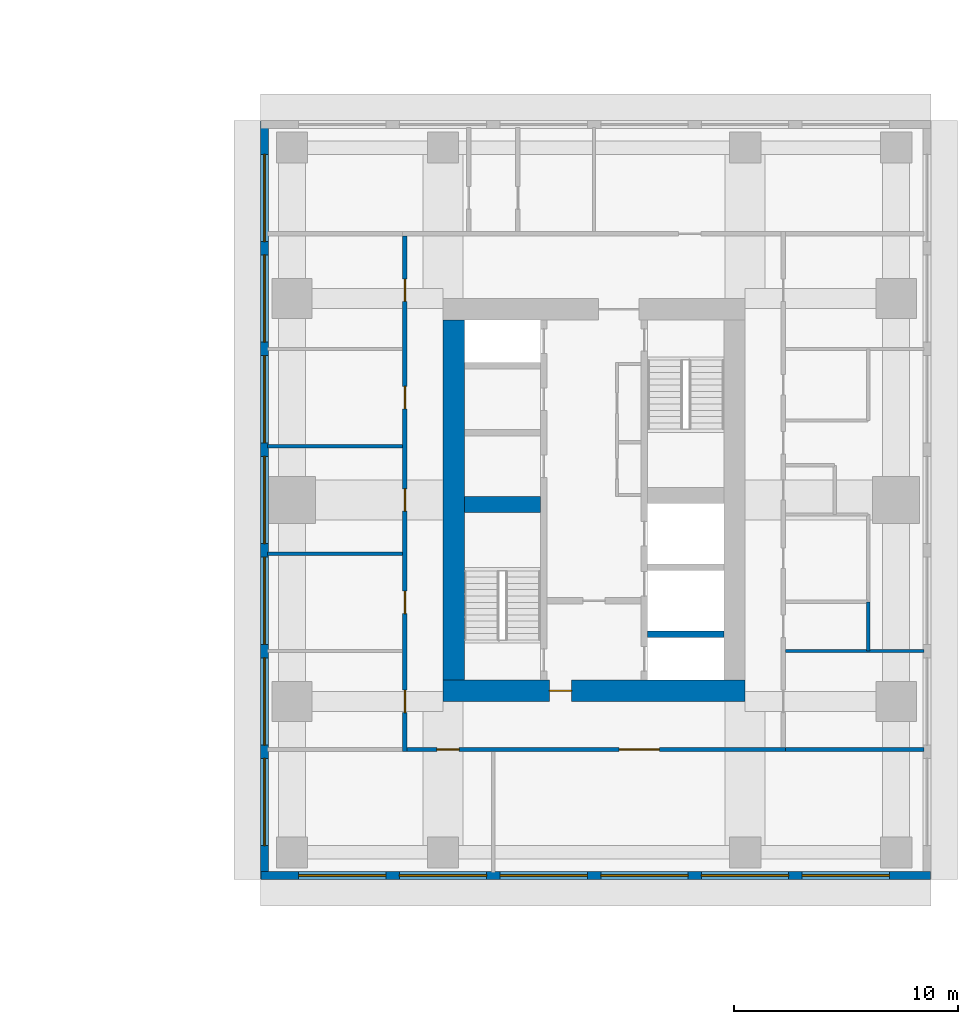
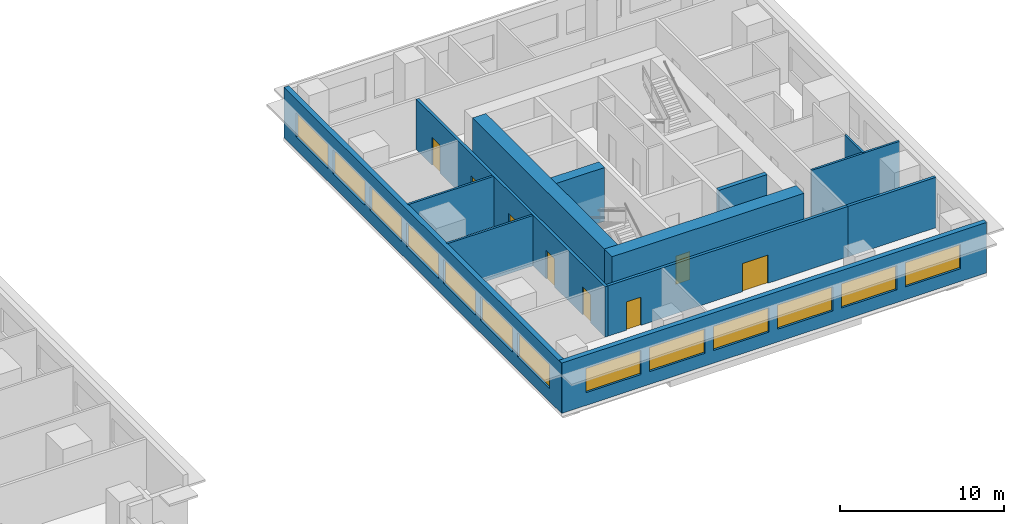
# One storey, part 6 of 11: 13 walls, 13 windows, 8 doors, 21 openings.
"""IFC4 building model written with IfcOpenShell, lengths in metres."""

from ifc_helpers import new_model, si_unit, direction, frame, frame_2d, origin, place, context, subcontext, project, spatial, rectangle, extrude, material, layer, layer_set, type_object, element, fill, save


model = new_model("IFC4")

# Units and contexts
model_context = context("Model", 3, precision=1e-05, world=origin(), true_north=direction((0.0, 1.0)))
body_context = subcontext(model_context, "Body", "Model", "MODEL_VIEW")
ifc_project = project(units=[si_unit("LENGTHUNIT", "METRE"), si_unit("AREAUNIT", "SQUARE_METRE"), si_unit("VOLUMEUNIT", "CUBIC_METRE"), si_unit("PLANEANGLEUNIT", "RADIAN"), si_unit("MASSUNIT", "GRAM", prefix="KILO")], contexts=[model_context])

# Site, building, storey
site_placement = place(None, origin())
site = spatial("IfcSite", under=ifc_project, at=site_placement, CompositionType="ELEMENT")
building_placement = place(site_placement, origin())
building = spatial("IfcBuilding", under=site, at=building_placement, Name="Namib Vertical Campus", CompositionType="ELEMENT")
storey_placement = place(building_placement, frame((0.0, 0.0, 185.0)))
storey = spatial("IfcBuildingStorey", under=building, at=storey_placement, Name="L43", CompositionType="ELEMENT", Elevation=185.0)

# Walls
ifc_material_1 = material(Name="Concrete C60/75", Category="concrete")
ifc_layer_1 = layer(ifc_material_1, 0.300048828125)
ifc_layer_set_1 = layer_set([ifc_layer_1], Name="Concrete C60/75")
wall_type_1 = type_object("IfcWallType", Name="Core inner wall 300", PredefinedType="SHEAR", material=ifc_layer_set_1)
wall_1_placement = place(storey_placement, frame((83.39990234375, 14.25, 0.0), z_axis=(0.0, 0.0, 1.0), x_axis=(1.0, 0.0, 0.0)))
element("IfcWall", 1, at=wall_1_placement, inside=storey, type_object=wall_type_1, Name="Core inner wall B L43 W5", PredefinedType="SHEAR", context=body_context, shape_type="SweptSolid", body=[
    extrude(rectangle(XDim=3.400146484375, YDim=0.300048828125, at=frame_2d((1.7001953125, 0.0))), origin(), (0.0, 0.0, 1.0), 4.0),
])
ifc_material_2 = material(Name="Concrete C60/75", Category="concrete")
ifc_layer_2 = layer(ifc_material_2, 0.699951171875)
ifc_layer_set_2 = layer_set([ifc_layer_2], Name="Concrete C60/75")
wall_type_2 = type_object("IfcWallType", Name="Core shear wall 700", PredefinedType="SHEAR", material=ifc_layer_set_2)
wall_2_placement = place(storey_placement, frame((75.199951171875, 20.050048828125, 0.0), z_axis=(0.0, 0.0, 1.0), x_axis=(1.0, 0.0, 0.0)))
element("IfcWall", 2, at=wall_2_placement, inside=storey, type_object=wall_type_2, Name="Core shear wall B L43 W3", PredefinedType="SHEAR", context=body_context, shape_type="SweptSolid", body=[
    extrude(rectangle(XDim=3.400146484375, YDim=0.699951171875, at=frame_2d((1.7001953125, 0.0))), origin(), (0.0, 0.0, 1.0), 4.0),
])

# Wall, opening, door
ifc_material_3 = material(Name="Concrete C60/75", Category="concrete")
ifc_layer_3 = layer(ifc_material_3, 0.949951171875)
ifc_layer_set_3 = layer_set([ifc_layer_3], Name="Concrete C60/75")
wall_type_3 = type_object("IfcWallType", Name="Core wall 950", PredefinedType="SHEAR", material=ifc_layer_set_3)
wall_3_placement = place(storey_placement, frame((74.25, 11.72509765625, 0.0), z_axis=(0.0, 0.0, 1.0), x_axis=(1.0, 0.0, 0.0)))
wall_3 = element("IfcWall", 3, at=wall_3_placement, inside=storey, type_object=wall_type_3, Name="Core wall B L43 1", PredefinedType="SHEAR", context=body_context, shape_type="SweptSolid", body=[
    extrude(rectangle(XDim=13.5, YDim=0.949951171875, at=frame_2d((6.75, 0.0))), origin(), (0.0, 0.0, 1.0), 4.0),
])
opening_1_placement = place(wall_3_placement, frame((4.75, 0.0, 0.0)))
opening_1 = element("IfcOpeningElement", 4, at=opening_1_placement, cuts=wall_3, Name="Opening FD5", PredefinedType="OPENING", context=body_context, shape_type="SweptSolid", body=[
    extrude(rectangle(XDim=1.0, YDim=2.10009765625, at=frame_2d((0.5, 1.050048828125))), frame((0.0, 0.48486328125, 0.0), z_axis=(0.0, -1.0, 0.0), x_axis=(1.0, 0.0, 0.0)), (0.0, 0.0, 1.0), 0.969970703125),
])
ifc_material_4 = material(Name="Steel fire door", Category="steel")
door_type_1 = type_object("IfcDoorType", Name="Fire door 1000x2100 120 min", OperationType="SINGLE_SWING_RIGHT", PredefinedType="DOOR", material=ifc_material_4)
door_1_placement = place(opening_1_placement, origin())
door_1 = element("IfcDoor", 5, at=door_1_placement, inside=storey, type_object=door_type_1, Name="Firefighting lobby door FD5 B L43", OperationType="SINGLE_SWING_LEFT", OverallHeight=2.10009765625, OverallWidth=1.0, PredefinedType="DOOR", context=body_context, shape_type="SweptSolid", body=[
    extrude(rectangle(XDim=1.0, YDim=2.10009765625, at=frame_2d((0.5, 1.050048828125))), frame((0.0, 0.02490234375, 0.0), z_axis=(0.0, -1.0, 0.0), x_axis=(1.0, 0.0, 0.0)), (0.0, 0.0, 1.0), 0.050048828125),
])
fill(opening_1, door_1)

# Wall
wall_4_placement = place(storey_placement, frame((74.72509765625, 28.300048828125, 0.0), z_axis=(0.0, 0.0, 1.0), x_axis=(0.0, -1.0, 0.0)))
element("IfcWall", 6, at=wall_4_placement, inside=storey, type_object=wall_type_3, Name="Core wall B L43 4", PredefinedType="SHEAR", context=body_context, shape_type="SweptSolid", body=[
    extrude(rectangle(XDim=16.10009765625, YDim=0.949951171875, at=frame_2d((8.050048828125, 0.0))), origin(), (0.0, 0.0, 1.0), 4.0),
])

# Wall, openings, doors
ifc_material_5 = material(Name="Concrete masonry", Category="masonry")
ifc_layer_4 = layer(ifc_material_5, 0.199951171875)
ifc_layer_set_4 = layer_set([ifc_layer_4], Name="Corridor wall 200")
wall_type_4 = type_object("IfcWallType", Name="Corridor wall 200", PredefinedType="SOLIDWALL", material=ifc_layer_set_4)
wall_5_placement = place(storey_placement, frame((72.64990234375, 9.10009765625, 0.0), z_axis=(0.0, 0.0, 1.0), x_axis=(1.0, 0.0, 0.0)))
wall_5 = element("IfcWall", 7, at=wall_5_placement, inside=storey, type_object=wall_type_4, Name="Corridor wall B L43 CS", PredefinedType="SOLIDWALL", context=body_context, shape_type="SweptSolid", body=[
    extrude(rectangle(XDim=16.900146484375, YDim=0.199951171875, at=frame_2d((8.4501953125, 0.0))), origin(), (0.0, 0.0, 1.0), 3.75),
])
opening_2_placement = place(wall_5_placement, frame((1.324951171875, 0.0, 0.0)))
opening_2 = element("IfcOpeningElement", 8, at=opening_2_placement, cuts=wall_5, Name="Opening CD1", PredefinedType="OPENING", context=body_context, shape_type="SweptSolid", body=[
    extrude(rectangle(XDim=1.0, YDim=2.10009765625, at=frame_2d((0.5, 1.050048828125))), frame((0.0, 0.10986328125, 0.0), z_axis=(0.0, -1.0, 0.0), x_axis=(1.0, 0.0, 0.0)), (0.0, 0.0, 1.0), 0.219970703125),
])
opening_3_placement = place(wall_5_placement, frame((9.47509765625, 0.0, 0.0)))
opening_3 = element("IfcOpeningElement", 9, at=opening_3_placement, cuts=wall_5, Name="Opening CD2", PredefinedType="OPENING", context=body_context, shape_type="SweptSolid", body=[
    extrude(rectangle(XDim=1.800048828125, YDim=2.10009765625, at=frame_2d((0.89990234375, 1.050048828125))), frame((0.0, 0.10986328125, 0.0), z_axis=(0.0, -1.0, 0.0), x_axis=(1.0, 0.0, 0.0)), (0.0, 0.0, 1.0), 0.219970703125),
])
ifc_material_6 = material(Name="Timber fire door leaf", Category="wood")
door_type_2 = type_object("IfcDoorType", Name="Corridor door 1000x2100 20 min", OperationType="SINGLE_SWING_LEFT", PredefinedType="DOOR", material=ifc_material_6)
door_2_placement = place(opening_2_placement, frame((1.0, 0.0, 0.0), z_axis=(0.0, 0.0, 1.0), x_axis=(-1.0, 0.0, 0.0)))
door_2 = element("IfcDoor", 10, at=door_2_placement, inside=storey, type_object=door_type_2, Name="Door CD1 B43-01", OperationType="SINGLE_SWING_LEFT", OverallHeight=2.10009765625, OverallWidth=1.0, PredefinedType="DOOR", context=body_context, shape_type="SweptSolid", body=[
    extrude(rectangle(XDim=1.0, YDim=2.10009765625, at=frame_2d((0.5, 1.050048828125))), frame((0.0, 0.02490234375, 0.0), z_axis=(0.0, -1.0, 0.0), x_axis=(1.0, 0.0, 0.0)), (0.0, 0.0, 1.0), 0.050048828125),
])
fill(opening_2, door_2)
ifc_material_7 = material(Name="Timber fire door leaf", Category="wood")
door_type_3 = type_object("IfcDoorType", Name="Corridor door double 1800x2100 20 min", OperationType="DOUBLE_DOOR_SINGLE_SWING", PredefinedType="DOOR", material=ifc_material_7)
door_3_placement = place(opening_3_placement, frame((1.800048828125, 0.0, 0.0), z_axis=(0.0, 0.0, 1.0), x_axis=(-1.0, 0.0, 0.0)))
door_3 = element("IfcDoor", 11, at=door_3_placement, inside=storey, type_object=door_type_3, Name="Door CD2 B43-02", OperationType="DOUBLE_DOOR_SINGLE_SWING", OverallHeight=2.10009765625, OverallWidth=1.800048828125, PredefinedType="DOOR", context=body_context, shape_type="SweptSolid", body=[
    extrude(rectangle(XDim=1.800048828125, YDim=2.10009765625, at=frame_2d((0.89990234375, 1.050048828125))), frame((0.0, 0.02490234375, 0.0), z_axis=(0.0, -1.0, 0.0), x_axis=(1.0, 0.0, 0.0)), (0.0, 0.0, 1.0), 0.050048828125),
])
fill(opening_3, door_3)

wall_6_placement = place(storey_placement, frame((72.550048828125, 32.050048828125, 0.0), z_axis=(0.0, 0.0, 1.0), x_axis=(0.0, -1.0, 0.0)))
wall_6 = element("IfcWall", 12, at=wall_6_placement, inside=storey, type_object=wall_type_4, Name="Corridor wall B L43 CW", PredefinedType="SOLIDWALL", context=body_context, shape_type="SweptSolid", body=[
    extrude(rectangle(XDim=23.050048828125, YDim=0.199951171875, at=frame_2d((11.52490234375, 0.0))), origin(), (0.0, 0.0, 1.0), 3.75),
])
opening_4_placement = place(wall_6_placement, frame((20.300048828125, 0.0, 0.0)))
opening_4 = element("IfcOpeningElement", 13, at=opening_4_placement, cuts=wall_6, Name="Opening CD1", PredefinedType="OPENING", context=body_context, shape_type="SweptSolid", body=[
    extrude(rectangle(XDim=1.0, YDim=2.10009765625, at=frame_2d((0.5, 1.050048828125))), frame((0.0, 0.10986328125, 0.0), z_axis=(0.0, -1.0, 0.0), x_axis=(1.0, 0.0, 0.0)), (0.0, 0.0, 1.0), 0.219970703125),
])
opening_5_placement = place(wall_6_placement, frame((15.875, 0.0, 0.0)))
opening_5 = element("IfcOpeningElement", 14, at=opening_5_placement, cuts=wall_6, Name="Opening CD1", PredefinedType="OPENING", context=body_context, shape_type="SweptSolid", body=[
    extrude(rectangle(XDim=1.0, YDim=2.10009765625, at=frame_2d((0.5, 1.050048828125))), frame((0.0, 0.10986328125, 0.0), z_axis=(0.0, -1.0, 0.0), x_axis=(1.0, 0.0, 0.0)), (0.0, 0.0, 1.0), 0.219970703125),
])
opening_6_placement = place(wall_6_placement, frame((11.300048828125, 0.0, 0.0)))
opening_6 = element("IfcOpeningElement", 15, at=opening_6_placement, cuts=wall_6, Name="Opening CD1", PredefinedType="OPENING", context=body_context, shape_type="SweptSolid", body=[
    extrude(rectangle(XDim=1.0, YDim=2.10009765625, at=frame_2d((0.5, 1.050048828125))), frame((0.0, 0.10986328125, 0.0), z_axis=(0.0, -1.0, 0.0), x_axis=(1.0, 0.0, 0.0)), (0.0, 0.0, 1.0), 0.219970703125),
])
opening_7_placement = place(wall_6_placement, frame((6.72509765625, 0.0, 0.0)))
opening_7 = element("IfcOpeningElement", 16, at=opening_7_placement, cuts=wall_6, Name="Opening CD1", PredefinedType="OPENING", context=body_context, shape_type="SweptSolid", body=[
    extrude(rectangle(XDim=1.0, YDim=2.10009765625, at=frame_2d((0.5, 1.050048828125))), frame((0.0, 0.10986328125, 0.0), z_axis=(0.0, -1.0, 0.0), x_axis=(1.0, 0.0, 0.0)), (0.0, 0.0, 1.0), 0.219970703125),
])
opening_8_placement = place(wall_6_placement, frame((1.925048828125, 0.0, 0.0)))
opening_8 = element("IfcOpeningElement", 17, at=opening_8_placement, cuts=wall_6, Name="Opening CD1", PredefinedType="OPENING", context=body_context, shape_type="SweptSolid", body=[
    extrude(rectangle(XDim=1.0, YDim=2.10009765625, at=frame_2d((0.5, 1.050048828125))), frame((0.0, 0.10986328125, 0.0), z_axis=(0.0, -1.0, 0.0), x_axis=(1.0, 0.0, 0.0)), (0.0, 0.0, 1.0), 0.219970703125),
])
door_4_placement = place(opening_4_placement, frame((1.0, 0.0, 0.0), z_axis=(0.0, 0.0, 1.0), x_axis=(-1.0, 0.0, 0.0)))
door_4 = element("IfcDoor", 18, at=door_4_placement, inside=storey, type_object=door_type_2, Name="Door CD1 B43-13", OperationType="SINGLE_SWING_RIGHT", OverallHeight=2.10009765625, OverallWidth=1.0, PredefinedType="DOOR", context=body_context, shape_type="SweptSolid", body=[
    extrude(rectangle(XDim=1.0, YDim=2.10009765625, at=frame_2d((0.5, 1.050048828125))), frame((0.0, 0.02490234375, 0.0), z_axis=(0.0, -1.0, 0.0), x_axis=(1.0, 0.0, 0.0)), (0.0, 0.0, 1.0), 0.050048828125),
])
fill(opening_4, door_4)
door_5_placement = place(opening_5_placement, frame((1.0, 0.0, 0.0), z_axis=(0.0, 0.0, 1.0), x_axis=(-1.0, 0.0, 0.0)))
door_5 = element("IfcDoor", 19, at=door_5_placement, inside=storey, type_object=door_type_2, Name="Door CD1 B43-14", OperationType="SINGLE_SWING_RIGHT", OverallHeight=2.10009765625, OverallWidth=1.0, PredefinedType="DOOR", context=body_context, shape_type="SweptSolid", body=[
    extrude(rectangle(XDim=1.0, YDim=2.10009765625, at=frame_2d((0.5, 1.050048828125))), frame((0.0, 0.02490234375, 0.0), z_axis=(0.0, -1.0, 0.0), x_axis=(1.0, 0.0, 0.0)), (0.0, 0.0, 1.0), 0.050048828125),
])
fill(opening_5, door_5)
door_6_placement = place(opening_6_placement, frame((1.0, 0.0, 0.0), z_axis=(0.0, 0.0, 1.0), x_axis=(-1.0, 0.0, 0.0)))
door_6 = element("IfcDoor", 20, at=door_6_placement, inside=storey, type_object=door_type_2, Name="Door CD1 B43-15", OperationType="SINGLE_SWING_RIGHT", OverallHeight=2.10009765625, OverallWidth=1.0, PredefinedType="DOOR", context=body_context, shape_type="SweptSolid", body=[
    extrude(rectangle(XDim=1.0, YDim=2.10009765625, at=frame_2d((0.5, 1.050048828125))), frame((0.0, 0.02490234375, 0.0), z_axis=(0.0, -1.0, 0.0), x_axis=(1.0, 0.0, 0.0)), (0.0, 0.0, 1.0), 0.050048828125),
])
fill(opening_6, door_6)
door_7_placement = place(opening_7_placement, frame((1.0, 0.0, 0.0), z_axis=(0.0, 0.0, 1.0), x_axis=(-1.0, 0.0, 0.0)))
door_7 = element("IfcDoor", 21, at=door_7_placement, inside=storey, type_object=door_type_2, Name="Door CD1 B43-16", OperationType="SINGLE_SWING_RIGHT", OverallHeight=2.10009765625, OverallWidth=1.0, PredefinedType="DOOR", context=body_context, shape_type="SweptSolid", body=[
    extrude(rectangle(XDim=1.0, YDim=2.10009765625, at=frame_2d((0.5, 1.050048828125))), frame((0.0, 0.02490234375, 0.0), z_axis=(0.0, -1.0, 0.0), x_axis=(1.0, 0.0, 0.0)), (0.0, 0.0, 1.0), 0.050048828125),
])
fill(opening_7, door_7)
door_8_placement = place(opening_8_placement, frame((1.0, 0.0, 0.0), z_axis=(0.0, 0.0, 1.0), x_axis=(-1.0, 0.0, 0.0)))
door_8 = element("IfcDoor", 22, at=door_8_placement, inside=storey, type_object=door_type_2, Name="Door CD1 B43-17", OperationType="SINGLE_SWING_RIGHT", OverallHeight=2.10009765625, OverallWidth=1.0, PredefinedType="DOOR", context=body_context, shape_type="SweptSolid", body=[
    extrude(rectangle(XDim=1.0, YDim=2.10009765625, at=frame_2d((0.5, 1.050048828125))), frame((0.0, 0.02490234375, 0.0), z_axis=(0.0, -1.0, 0.0), x_axis=(1.0, 0.0, 0.0)), (0.0, 0.0, 1.0), 0.050048828125),
])
fill(opening_8, door_8)

# Wall
wall_7_placement = place(storey_placement, frame((89.550048828125, 9.10009765625, 0.0), z_axis=(0.0, 0.0, 1.0), x_axis=(1.0, 0.0, 0.0)))
element("IfcWall", 23, at=wall_7_placement, inside=storey, type_object=wall_type_4, Name="Partition B L43 BSE", PredefinedType="SOLIDWALL", context=body_context, shape_type="SweptSolid", body=[
    extrude(rectangle(XDim=6.199951171875, YDim=0.199951171875, at=frame_2d((3.10009765625, 0.0))), origin(), (0.0, 0.0, 1.0), 3.75),
])

# Wall, openings, windows
ifc_material_8 = material(Name="Concrete C40/50", Category="concrete")
ifc_layer_5 = layer(ifc_material_8, 0.35009765625)
ifc_layer_set_5 = layer_set([ifc_layer_5], Name="Concrete C40/50")
wall_type_5 = type_object("IfcWallType", Name="External wall 350 bush-hammered concrete", PredefinedType="STANDARD", material=ifc_layer_set_5)
wall_8_placement = place(storey_placement, frame((66.1201171875, 3.47509765625, 0.0), z_axis=(0.0, 0.0, 1.0), x_axis=(1.0, 0.0, 0.0)))
wall_8 = element("IfcWall", 24, at=wall_8_placement, inside=storey, type_object=wall_type_5, Name="External wall L43 F01", PredefinedType="STANDARD", context=body_context, shape_type="SweptSolid", body=[
    extrude(rectangle(XDim=29.909912109375, YDim=0.35009765625, at=frame_2d((14.955078125, 0.0))), origin(), (0.0, 0.0, 1.0), 3.75),
])
opening_9_placement = place(wall_8_placement, frame((1.679931640625, 0.0, 0.949951171875)))
opening_9 = element("IfcOpeningElement", 25, at=opening_9_placement, cuts=wall_8, Name="Opening W3", PredefinedType="OPENING", context=body_context, shape_type="SweptSolid", body=[
    extrude(rectangle(XDim=3.89990234375, YDim=1.800048828125, at=frame_2d((1.949951171875, 0.89990234375))), frame((0.0, 0.18505859375, 0.0), z_axis=(0.0, -1.0, 0.0), x_axis=(1.0, 0.0, 0.0)), (0.0, 0.0, 1.0), 0.3701171875),
])
opening_10_placement = place(wall_8_placement, frame((6.179931640625, 0.0, 0.949951171875)))
opening_10 = element("IfcOpeningElement", 26, at=opening_10_placement, cuts=wall_8, Name="Opening W3", PredefinedType="OPENING", context=body_context, shape_type="SweptSolid", body=[
    extrude(rectangle(XDim=3.89990234375, YDim=1.800048828125, at=frame_2d((1.949951171875, 0.89990234375))), frame((0.0, 0.18505859375, 0.0), z_axis=(0.0, -1.0, 0.0), x_axis=(1.0, 0.0, 0.0)), (0.0, 0.0, 1.0), 0.3701171875),
])
opening_11_placement = place(wall_8_placement, frame((10.679931640625, 0.0, 0.949951171875)))
opening_11 = element("IfcOpeningElement", 27, at=opening_11_placement, cuts=wall_8, Name="Opening W3", PredefinedType="OPENING", context=body_context, shape_type="SweptSolid", body=[
    extrude(rectangle(XDim=3.89990234375, YDim=1.800048828125, at=frame_2d((1.949951171875, 0.89990234375))), frame((0.0, 0.18505859375, 0.0), z_axis=(0.0, -1.0, 0.0), x_axis=(1.0, 0.0, 0.0)), (0.0, 0.0, 1.0), 0.3701171875),
])
opening_12_placement = place(wall_8_placement, frame((15.179931640625, 0.0, 0.949951171875)))
opening_12 = element("IfcOpeningElement", 28, at=opening_12_placement, cuts=wall_8, Name="Opening W3", PredefinedType="OPENING", context=body_context, shape_type="SweptSolid", body=[
    extrude(rectangle(XDim=3.89990234375, YDim=1.800048828125, at=frame_2d((1.949951171875, 0.89990234375))), frame((0.0, 0.18505859375, 0.0), z_axis=(0.0, -1.0, 0.0), x_axis=(1.0, 0.0, 0.0)), (0.0, 0.0, 1.0), 0.3701171875),
])
opening_13_placement = place(wall_8_placement, frame((19.679931640625, 0.0, 0.949951171875)))
opening_13 = element("IfcOpeningElement", 29, at=opening_13_placement, cuts=wall_8, Name="Opening W3", PredefinedType="OPENING", context=body_context, shape_type="SweptSolid", body=[
    extrude(rectangle(XDim=3.89990234375, YDim=1.800048828125, at=frame_2d((1.949951171875, 0.89990234375))), frame((0.0, 0.18505859375, 0.0), z_axis=(0.0, -1.0, 0.0), x_axis=(1.0, 0.0, 0.0)), (0.0, 0.0, 1.0), 0.3701171875),
])
opening_14_placement = place(wall_8_placement, frame((24.179931640625, 0.0, 0.949951171875)))
opening_14 = element("IfcOpeningElement", 30, at=opening_14_placement, cuts=wall_8, Name="Opening W3", PredefinedType="OPENING", context=body_context, shape_type="SweptSolid", body=[
    extrude(rectangle(XDim=3.89990234375, YDim=1.800048828125, at=frame_2d((1.949951171875, 0.89990234375))), frame((0.0, 0.18505859375, 0.0), z_axis=(0.0, -1.0, 0.0), x_axis=(1.0, 0.0, 0.0)), (0.0, 0.0, 1.0), 0.3701171875),
])
ifc_material_9 = material(Name="Dark tinted glass in black aluminium frame", Category="aluminium")
window_type = type_object("IfcWindowType", Name="Ribbon window 3900x1800", PartitioningType="SINGLE_PANEL", PredefinedType="WINDOW", material=ifc_material_9)
window_1_placement = place(opening_9_placement, origin())
window_1 = element("IfcWindow", 31, at=window_1_placement, inside=storey, type_object=window_type, Name="Window W3 L43 F01-1", OverallHeight=1.800048828125, OverallWidth=3.89990234375, PartitioningType="SINGLE_PANEL", PredefinedType="WINDOW", context=body_context, shape_type="SweptSolid", body=[
    extrude(rectangle(XDim=3.89990234375, YDim=1.800048828125, at=frame_2d((1.949951171875, 0.89990234375))), frame((0.0, 0.030029296875, 0.0), z_axis=(0.0, -1.0, 0.0), x_axis=(1.0, 0.0, 0.0)), (0.0, 0.0, 1.0), 0.06005859375),
])
fill(opening_9, window_1)
window_2_placement = place(opening_10_placement, origin())
window_2 = element("IfcWindow", 32, at=window_2_placement, inside=storey, type_object=window_type, Name="Window W3 L43 F01-2", OverallHeight=1.800048828125, OverallWidth=3.89990234375, PartitioningType="SINGLE_PANEL", PredefinedType="WINDOW", context=body_context, shape_type="SweptSolid", body=[
    extrude(rectangle(XDim=3.89990234375, YDim=1.800048828125, at=frame_2d((1.949951171875, 0.89990234375))), frame((0.0, 0.030029296875, 0.0), z_axis=(0.0, -1.0, 0.0), x_axis=(1.0, 0.0, 0.0)), (0.0, 0.0, 1.0), 0.06005859375),
])
fill(opening_10, window_2)
window_3_placement = place(opening_11_placement, origin())
window_3 = element("IfcWindow", 33, at=window_3_placement, inside=storey, type_object=window_type, Name="Window W3 L43 F01-3", OverallHeight=1.800048828125, OverallWidth=3.89990234375, PartitioningType="SINGLE_PANEL", PredefinedType="WINDOW", context=body_context, shape_type="SweptSolid", body=[
    extrude(rectangle(XDim=3.89990234375, YDim=1.800048828125, at=frame_2d((1.949951171875, 0.89990234375))), frame((0.0, 0.030029296875, 0.0), z_axis=(0.0, -1.0, 0.0), x_axis=(1.0, 0.0, 0.0)), (0.0, 0.0, 1.0), 0.06005859375),
])
fill(opening_11, window_3)
window_4_placement = place(opening_12_placement, origin())
window_4 = element("IfcWindow", 34, at=window_4_placement, inside=storey, type_object=window_type, Name="Window W3 L43 F01-4", OverallHeight=1.800048828125, OverallWidth=3.89990234375, PartitioningType="SINGLE_PANEL", PredefinedType="WINDOW", context=body_context, shape_type="SweptSolid", body=[
    extrude(rectangle(XDim=3.89990234375, YDim=1.800048828125, at=frame_2d((1.949951171875, 0.89990234375))), frame((0.0, 0.030029296875, 0.0), z_axis=(0.0, -1.0, 0.0), x_axis=(1.0, 0.0, 0.0)), (0.0, 0.0, 1.0), 0.06005859375),
])
fill(opening_12, window_4)
window_5_placement = place(opening_13_placement, origin())
window_5 = element("IfcWindow", 35, at=window_5_placement, inside=storey, type_object=window_type, Name="Window W3 L43 F01-5", OverallHeight=1.800048828125, OverallWidth=3.89990234375, PartitioningType="SINGLE_PANEL", PredefinedType="WINDOW", context=body_context, shape_type="SweptSolid", body=[
    extrude(rectangle(XDim=3.89990234375, YDim=1.800048828125, at=frame_2d((1.949951171875, 0.89990234375))), frame((0.0, 0.030029296875, 0.0), z_axis=(0.0, -1.0, 0.0), x_axis=(1.0, 0.0, 0.0)), (0.0, 0.0, 1.0), 0.06005859375),
])
fill(opening_13, window_5)
window_6_placement = place(opening_14_placement, origin())
window_6 = element("IfcWindow", 36, at=window_6_placement, inside=storey, type_object=window_type, Name="Window W3 L43 F01-6", OverallHeight=1.800048828125, OverallWidth=3.89990234375, PartitioningType="SINGLE_PANEL", PredefinedType="WINDOW", context=body_context, shape_type="SweptSolid", body=[
    extrude(rectangle(XDim=3.89990234375, YDim=1.800048828125, at=frame_2d((1.949951171875, 0.89990234375))), frame((0.0, 0.030029296875, 0.0), z_axis=(0.0, -1.0, 0.0), x_axis=(1.0, 0.0, 0.0)), (0.0, 0.0, 1.0), 0.06005859375),
])
fill(opening_14, window_6)

wall_9_placement = place(storey_placement, frame((66.27490234375, 37.179931640625, 0.0), z_axis=(0.0, 0.0, 1.0), x_axis=(0.0, -1.0, 0.0)))
wall_9 = element("IfcWall", 37, at=wall_9_placement, inside=storey, type_object=wall_type_5, Name="External wall L43 F04", PredefinedType="STANDARD", context=body_context, shape_type="SweptSolid", body=[
    extrude(rectangle(XDim=33.85986328125, YDim=0.35009765625, at=frame_2d((16.929931640625, 0.0))), origin(), (0.0, 0.0, 1.0), 3.75),
])
opening_15_placement = place(wall_9_placement, frame((28.47998046875, 0.0, 0.949951171875)))
opening_15 = element("IfcOpeningElement", 38, at=opening_15_placement, cuts=wall_9, Name="Opening W3", PredefinedType="OPENING", context=body_context, shape_type="SweptSolid", body=[
    extrude(rectangle(XDim=3.89990234375, YDim=1.800048828125, at=frame_2d((1.949951171875, 0.89990234375))), frame((0.0, 0.18505859375, 0.0), z_axis=(0.0, -1.0, 0.0), x_axis=(1.0, 0.0, 0.0)), (0.0, 0.0, 1.0), 0.3701171875),
])
opening_16_placement = place(wall_9_placement, frame((23.97998046875, 0.0, 0.949951171875)))
opening_16 = element("IfcOpeningElement", 39, at=opening_16_placement, cuts=wall_9, Name="Opening W3", PredefinedType="OPENING", context=body_context, shape_type="SweptSolid", body=[
    extrude(rectangle(XDim=3.89990234375, YDim=1.800048828125, at=frame_2d((1.949951171875, 0.89990234375))), frame((0.0, 0.18505859375, 0.0), z_axis=(0.0, -1.0, 0.0), x_axis=(1.0, 0.0, 0.0)), (0.0, 0.0, 1.0), 0.3701171875),
])
opening_17_placement = place(wall_9_placement, frame((19.47998046875, 0.0, 0.949951171875)))
opening_17 = element("IfcOpeningElement", 40, at=opening_17_placement, cuts=wall_9, Name="Opening W3", PredefinedType="OPENING", context=body_context, shape_type="SweptSolid", body=[
    extrude(rectangle(XDim=3.89990234375, YDim=1.800048828125, at=frame_2d((1.949951171875, 0.89990234375))), frame((0.0, 0.18505859375, 0.0), z_axis=(0.0, -1.0, 0.0), x_axis=(1.0, 0.0, 0.0)), (0.0, 0.0, 1.0), 0.3701171875),
])
opening_18_placement = place(wall_9_placement, frame((14.97998046875, 0.0, 0.949951171875)))
opening_18 = element("IfcOpeningElement", 41, at=opening_18_placement, cuts=wall_9, Name="Opening W3", PredefinedType="OPENING", context=body_context, shape_type="SweptSolid", body=[
    extrude(rectangle(XDim=3.89990234375, YDim=1.800048828125, at=frame_2d((1.949951171875, 0.89990234375))), frame((0.0, 0.18505859375, 0.0), z_axis=(0.0, -1.0, 0.0), x_axis=(1.0, 0.0, 0.0)), (0.0, 0.0, 1.0), 0.3701171875),
])
opening_19_placement = place(wall_9_placement, frame((10.47998046875, 0.0, 0.949951171875)))
opening_19 = element("IfcOpeningElement", 42, at=opening_19_placement, cuts=wall_9, Name="Opening W3", PredefinedType="OPENING", context=body_context, shape_type="SweptSolid", body=[
    extrude(rectangle(XDim=3.89990234375, YDim=1.800048828125, at=frame_2d((1.949951171875, 0.89990234375))), frame((0.0, 0.18505859375, 0.0), z_axis=(0.0, -1.0, 0.0), x_axis=(1.0, 0.0, 0.0)), (0.0, 0.0, 1.0), 0.3701171875),
])
opening_20_placement = place(wall_9_placement, frame((5.97998046875, 0.0, 0.949951171875)))
opening_20 = element("IfcOpeningElement", 43, at=opening_20_placement, cuts=wall_9, Name="Opening W3", PredefinedType="OPENING", context=body_context, shape_type="SweptSolid", body=[
    extrude(rectangle(XDim=3.89990234375, YDim=1.800048828125, at=frame_2d((1.949951171875, 0.89990234375))), frame((0.0, 0.18505859375, 0.0), z_axis=(0.0, -1.0, 0.0), x_axis=(1.0, 0.0, 0.0)), (0.0, 0.0, 1.0), 0.3701171875),
])
opening_21_placement = place(wall_9_placement, frame((1.47998046875, 0.0, 0.949951171875)))
opening_21 = element("IfcOpeningElement", 44, at=opening_21_placement, cuts=wall_9, Name="Opening W3", PredefinedType="OPENING", context=body_context, shape_type="SweptSolid", body=[
    extrude(rectangle(XDim=3.89990234375, YDim=1.800048828125, at=frame_2d((1.949951171875, 0.89990234375))), frame((0.0, 0.18505859375, 0.0), z_axis=(0.0, -1.0, 0.0), x_axis=(1.0, 0.0, 0.0)), (0.0, 0.0, 1.0), 0.3701171875),
])
window_7_placement = place(opening_15_placement, origin())
window_7 = element("IfcWindow", 45, at=window_7_placement, inside=storey, type_object=window_type, Name="Window W3 L43 F04-1", OverallHeight=1.800048828125, OverallWidth=3.89990234375, PartitioningType="SINGLE_PANEL", PredefinedType="WINDOW", context=body_context, shape_type="SweptSolid", body=[
    extrude(rectangle(XDim=3.89990234375, YDim=1.800048828125, at=frame_2d((1.949951171875, 0.89990234375))), frame((0.0, 0.030029296875, 0.0), z_axis=(0.0, -1.0, 0.0), x_axis=(1.0, 0.0, 0.0)), (0.0, 0.0, 1.0), 0.06005859375),
])
fill(opening_15, window_7)
window_8_placement = place(opening_16_placement, origin())
window_8 = element("IfcWindow", 46, at=window_8_placement, inside=storey, type_object=window_type, Name="Window W3 L43 F04-2", OverallHeight=1.800048828125, OverallWidth=3.89990234375, PartitioningType="SINGLE_PANEL", PredefinedType="WINDOW", context=body_context, shape_type="SweptSolid", body=[
    extrude(rectangle(XDim=3.89990234375, YDim=1.800048828125, at=frame_2d((1.949951171875, 0.89990234375))), frame((0.0, 0.030029296875, 0.0), z_axis=(0.0, -1.0, 0.0), x_axis=(1.0, 0.0, 0.0)), (0.0, 0.0, 1.0), 0.06005859375),
])
fill(opening_16, window_8)
window_9_placement = place(opening_17_placement, origin())
window_9 = element("IfcWindow", 47, at=window_9_placement, inside=storey, type_object=window_type, Name="Window W3 L43 F04-3", OverallHeight=1.800048828125, OverallWidth=3.89990234375, PartitioningType="SINGLE_PANEL", PredefinedType="WINDOW", context=body_context, shape_type="SweptSolid", body=[
    extrude(rectangle(XDim=3.89990234375, YDim=1.800048828125, at=frame_2d((1.949951171875, 0.89990234375))), frame((0.0, 0.030029296875, 0.0), z_axis=(0.0, -1.0, 0.0), x_axis=(1.0, 0.0, 0.0)), (0.0, 0.0, 1.0), 0.06005859375),
])
fill(opening_17, window_9)
window_10_placement = place(opening_18_placement, origin())
window_10 = element("IfcWindow", 48, at=window_10_placement, inside=storey, type_object=window_type, Name="Window W3 L43 F04-4", OverallHeight=1.800048828125, OverallWidth=3.89990234375, PartitioningType="SINGLE_PANEL", PredefinedType="WINDOW", context=body_context, shape_type="SweptSolid", body=[
    extrude(rectangle(XDim=3.89990234375, YDim=1.800048828125, at=frame_2d((1.949951171875, 0.89990234375))), frame((0.0, 0.030029296875, 0.0), z_axis=(0.0, -1.0, 0.0), x_axis=(1.0, 0.0, 0.0)), (0.0, 0.0, 1.0), 0.06005859375),
])
fill(opening_18, window_10)
window_11_placement = place(opening_19_placement, origin())
window_11 = element("IfcWindow", 49, at=window_11_placement, inside=storey, type_object=window_type, Name="Window W3 L43 F04-5", OverallHeight=1.800048828125, OverallWidth=3.89990234375, PartitioningType="SINGLE_PANEL", PredefinedType="WINDOW", context=body_context, shape_type="SweptSolid", body=[
    extrude(rectangle(XDim=3.89990234375, YDim=1.800048828125, at=frame_2d((1.949951171875, 0.89990234375))), frame((0.0, 0.030029296875, 0.0), z_axis=(0.0, -1.0, 0.0), x_axis=(1.0, 0.0, 0.0)), (0.0, 0.0, 1.0), 0.06005859375),
])
fill(opening_19, window_11)
window_12_placement = place(opening_20_placement, origin())
window_12 = element("IfcWindow", 50, at=window_12_placement, inside=storey, type_object=window_type, Name="Window W3 L43 F04-6", OverallHeight=1.800048828125, OverallWidth=3.89990234375, PartitioningType="SINGLE_PANEL", PredefinedType="WINDOW", context=body_context, shape_type="SweptSolid", body=[
    extrude(rectangle(XDim=3.89990234375, YDim=1.800048828125, at=frame_2d((1.949951171875, 0.89990234375))), frame((0.0, 0.030029296875, 0.0), z_axis=(0.0, -1.0, 0.0), x_axis=(1.0, 0.0, 0.0)), (0.0, 0.0, 1.0), 0.06005859375),
])
fill(opening_20, window_12)
window_13_placement = place(opening_21_placement, origin())
window_13 = element("IfcWindow", 51, at=window_13_placement, inside=storey, type_object=window_type, Name="Window W3 L43 F04-7", OverallHeight=1.800048828125, OverallWidth=3.89990234375, PartitioningType="SINGLE_PANEL", PredefinedType="WINDOW", context=body_context, shape_type="SweptSolid", body=[
    extrude(rectangle(XDim=3.89990234375, YDim=1.800048828125, at=frame_2d((1.949951171875, 0.89990234375))), frame((0.0, 0.030029296875, 0.0), z_axis=(0.0, -1.0, 0.0), x_axis=(1.0, 0.0, 0.0)), (0.0, 0.0, 1.0), 0.06005859375),
])
fill(opening_21, window_13)

# Walls
ifc_material_10 = material(Name="Gypsum board on steel studs", Category="steel")
ifc_layer_6 = layer(ifc_material_10, 0.14990234375)
ifc_layer_set_6 = layer_set([ifc_layer_6], Name="Gypsum board on steel studs")
wall_type_6 = type_object("IfcWallType", Name="Partition 150", PredefinedType="PARTITIONING", material=ifc_layer_set_6)
wall_10_placement = place(storey_placement, frame((89.550048828125, 13.5, 0.0), z_axis=(0.0, 0.0, 1.0), x_axis=(1.0, 0.0, 0.0)))
element("IfcWall", 52, at=wall_10_placement, inside=storey, type_object=wall_type_6, Name="Partition B L43 PE1", PredefinedType="PARTITIONING", context=body_context, shape_type="SweptSolid", body=[
    extrude(rectangle(XDim=6.199951171875, YDim=0.14990234375, at=frame_2d((3.10009765625, 0.0))), origin(), (0.0, 0.0, 1.0), 3.75),
])
for number, where, z_axis, x_axis, name in (
    (53, (66.39990234375, 17.85009765625, 0.0), (0.0, 0.0, 1.0), (1.0, 0.0, 0.0), "Partition B L43 PW2"),
    (54, (66.39990234375, 22.64990234375, 0.0), (0.0, 0.0, 1.0), (1.0, 0.0, 0.0), "Partition B L43 PW3"),
):
    element("IfcWall", number, at=place(storey_placement, frame(where, z_axis=z_axis, x_axis=x_axis)), inside=storey, type_object=wall_type_6, Name=name, PredefinedType="PARTITIONING", context=body_context, shape_type="SweptSolid", body=[
        extrude(rectangle(XDim=6.050048828125, YDim=0.14990234375, at=frame_2d((3.02490234375, 0.0))), origin(), (0.0, 0.0, 1.0), 3.75),
    ])
wall_11_placement = place(storey_placement, frame((93.25, 13.5, 0.0), z_axis=(0.0, 0.0, 1.0), x_axis=(0.0, 1.0, 0.0)))
element("IfcWall", 55, at=wall_11_placement, inside=storey, type_object=wall_type_6, Name="Partition B L43 WB1", PredefinedType="PARTITIONING", context=body_context, shape_type="SweptSolid", body=[
    extrude(rectangle(XDim=2.199951171875, YDim=0.14990234375, at=frame_2d((1.10009765625, 0.0))), origin(), (0.0, 0.0, 1.0), 3.75),
])

save(model, "model.ifc")
